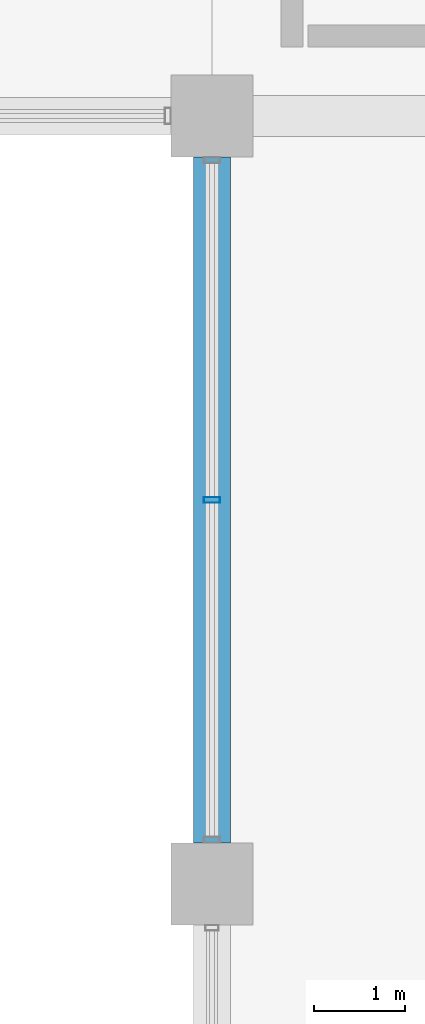
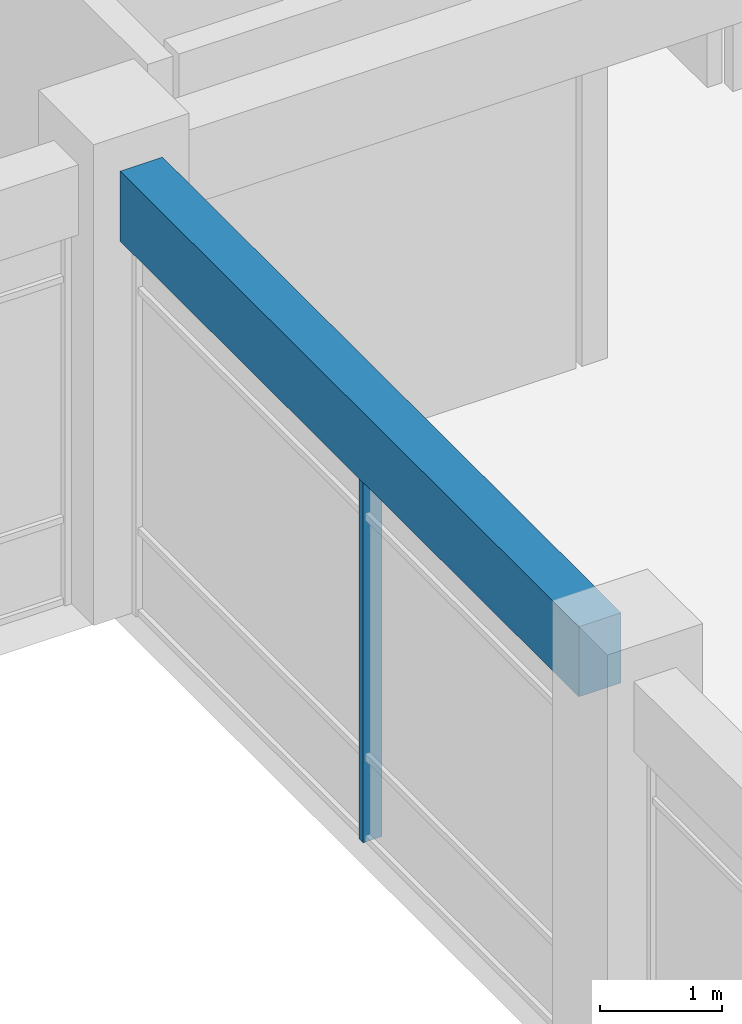
# One storey, part 31 of 79: 1 beam, 1 member, 1 element without a shape of its own.
"""IFC4 building model written with IfcOpenShell, lengths in metres."""

from ifc_helpers import new_model, si_unit, direction, frame, origin, origin_2d, place, context, subcontext, project, spatial, rectangle, hollow_rectangle, extrude, material, material_profile, profile_set, type_object, element, aggregate, save


model = new_model("IFC4")

# Units and contexts
model_context = context("Model", 3, precision=1e-05, world=origin(), true_north=direction((0.0, 1.0)))
body_context = subcontext(model_context, "Body", "Model", "MODEL_VIEW")
ifc_project = project(units=[si_unit("LENGTHUNIT", "METRE"), si_unit("AREAUNIT", "SQUARE_METRE"), si_unit("VOLUMEUNIT", "CUBIC_METRE"), si_unit("PLANEANGLEUNIT", "RADIAN"), si_unit("MASSUNIT", "GRAM", prefix="KILO"), si_unit("THERMODYNAMICTEMPERATUREUNIT", "KELVIN"), si_unit("POWERUNIT", "WATT")], contexts=[model_context])

# Site, building, storey
site_placement = place(None, origin())
site = spatial("IfcSite", under=ifc_project, at=site_placement, CompositionType="ELEMENT")
building_placement = place(site_placement, origin())
building = spatial("IfcBuilding", under=site, at=building_placement, Name="Srebrne Nadtorze General Hospital", CompositionType="ELEMENT")
storey_placement = place(building_placement, frame((0.0, 0.0, 4.800048828125)))
storey = spatial("IfcBuildingStorey", under=building, at=storey_placement, Name="L01", CompositionType="ELEMENT", Elevation=4.800048828125)

# Curtain wall, member
ifc_material_1 = material(Name="Anodised Aluminium", Category="aluminium")
curtain_wall_type = type_object("IfcCurtainWallType", Name="Unitised curtain wall 7500x3750", PredefinedType="NOTDEFINED", material=ifc_material_1)
curtain_wall_placement = place(storey_placement, origin())
curtain_wall = element("IfcCurtainWall", 1, at=curtain_wall_placement, inside=storey, type_object=curtain_wall_type, Name="Curtain wall CW-061", PredefinedType="NOTDEFINED")
ifc_material_2 = material(Name="Anodised Aluminium", Category="aluminium")
ifc_material_profile_1 = material_profile(ifc_material_2, hollow_rectangle(XDim=0.06494140625, YDim=0.179931640625, WallThickness=0.00390625, at=origin_2d()), Name="AL-MUL-65x180")
ifc_profile_set_1 = profile_set([ifc_material_profile_1], Name="Anodised Aluminium")
member_type = type_object("IfcMemberType", Name="Curtain mullion 65x180", PredefinedType="MULLION", material=ifc_profile_set_1)
member_placement = place(storey_placement, frame((101.39990234375, 46.199951171875, 0.0), z_axis=(0.0, 0.0, 1.0), x_axis=(0.0, 1.0, 0.0)))
member = element("IfcMember", 2, at=member_placement, type_object=member_type, Name="CW-061 mullion 2", PredefinedType="MULLION", context=body_context, shape_type="SweptSolid", body=[
    extrude(hollow_rectangle(XDim=0.06494140625, YDim=0.179931640625, WallThickness=0.00390625, at=origin_2d()), origin(), (0.0, 0.0, 1.0), 3.75),
])
aggregate(curtain_wall, [member])

# Beam
ifc_material_3 = material(Name="Concrete C40/50", Category="concrete")
ifc_material_profile_2 = material_profile(ifc_material_3, rectangle(XDim=0.39990234375, YDim=0.699951171875, at=origin_2d()), Name="RC-BM-400x700")
ifc_profile_set_2 = profile_set([ifc_material_profile_2], Name="Concrete C40/50")
beam_type = type_object("IfcBeamType", Name="Edge beam RC 400x700", PredefinedType="BEAM", material=ifc_profile_set_2)
beam_placement = place(storey_placement, frame((101.39990234375, 42.449951171875, 4.099853515625), z_axis=(0.0, 1.0, 0.0), x_axis=(-1.0, 0.0, 0.0)))
element("IfcBeam", 3, at=beam_placement, inside=storey, type_object=beam_type, Name="Beam BM-L01-Y-0511", PredefinedType="BEAM", context=body_context, shape_type="SweptSolid", body=[
    extrude(rectangle(XDim=0.39990234375, YDim=0.699951171875, at=origin_2d()), origin(), (0.0, 0.0, 1.0), 7.5),
])

save(model, "model.ifc")
